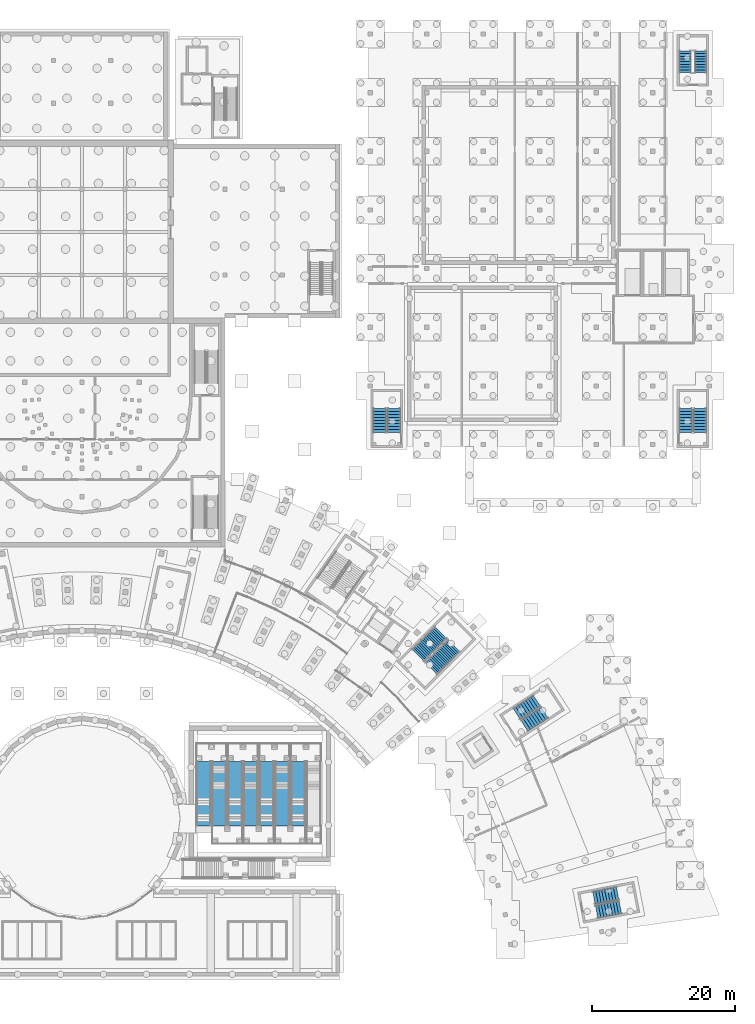
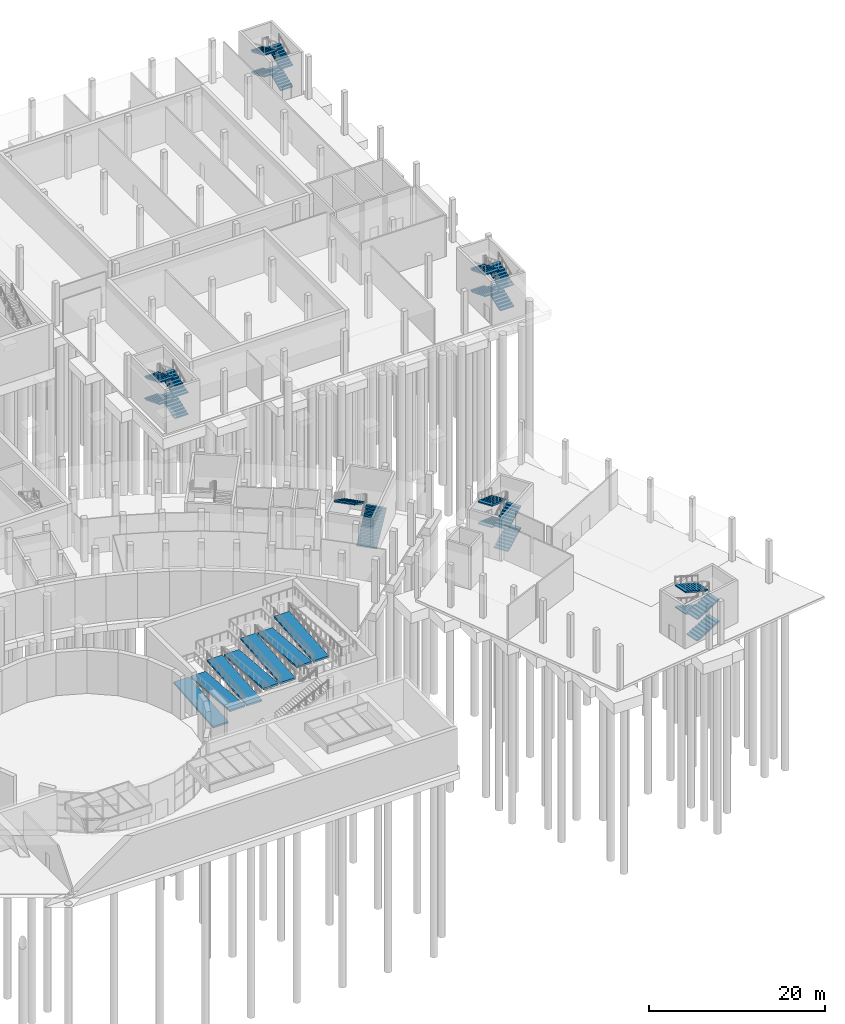
# One storey, part 33 of 66: 22 stair flights, 7 ramp flights, 13 elements without a shape of their own.
"""IFC4 building model written with IfcOpenShell, lengths in metres."""

from ifc_helpers import new_model, si_unit, direction, frame, origin, place, context, subcontext, project, spatial, polyline, outline, extrude, material, type_object, element, aggregate, save


model = new_model("IFC4")

# Units and contexts
model_context = context("Model", 3, precision=1e-05, world=origin(), true_north=direction((0.0, 1.0)))
body_context = subcontext(model_context, "Body", "Model", "MODEL_VIEW")
ifc_project = project(units=[si_unit("LENGTHUNIT", "METRE"), si_unit("AREAUNIT", "SQUARE_METRE"), si_unit("VOLUMEUNIT", "CUBIC_METRE"), si_unit("PLANEANGLEUNIT", "RADIAN"), si_unit("MASSUNIT", "GRAM", prefix="KILO")], contexts=[model_context])

# Site, building, storey
site_placement = place(None, origin())
site = spatial("IfcSite", under=ifc_project, at=site_placement, CompositionType="ELEMENT")
building_placement = place(site_placement, origin())
building = spatial("IfcBuilding", under=site, at=building_placement, Name="Lunette Opera House", CompositionType="ELEMENT")
storey_placement = place(building_placement, frame((0.0, 0.0, -6.0)))
storey = spatial("IfcBuildingStorey", under=building, at=storey_placement, Name="B1", CompositionType="ELEMENT", Elevation=-6.0)

# Stair, stair flights
ifc_material_1 = material(Name="Concrete C35/45", Category="concrete")
stair_type_1 = type_object("IfcStairType", Name="DOGLEG STAIR 1600", PredefinedType="HALF_TURN_STAIR", material=ifc_material_1)
stair_1_placement = place(storey_placement, origin())
stair_1 = element("IfcStair", 1, at=stair_1_placement, inside=storey, type_object=stair_type_1, Name="B1 stair ST19", PredefinedType="HALF_TURN_STAIR")
ifc_material_2 = material(Name="Concrete C35/45", Category="concrete")
stair_flight_type_1 = type_object("IfcStairFlightType", Name="STRAIGHT STAIR FLIGHT 1600", PredefinedType="STRAIGHT", material=ifc_material_2)
stair_flight_1_placement = place(storey_placement, frame((182.5, 130.300048828125, 0.0), z_axis=(0.0, 0.0, 1.0), x_axis=(0.0, 1.0, 0.0)))
stair_flight_1 = element("IfcStairFlight", 2, at=stair_flight_1_placement, type_object=stair_flight_type_1, Name="ST19 flight 1", NumberOfRisers=9, NumberOfTreads=8, PredefinedType="STRAIGHT", RiserHeight=0.166666667, TreadLength=0.38, context=body_context, shape_type="SweptSolid", body=[
    extrude(outline(polyline([(0.0, 0.0), (0.0, 0.166748046875), (0.3798828125, 0.166748046875), (0.3798828125, 0.333251953125), (0.760009765625, 0.333251953125), (0.760009765625, 0.5), (1.139892578125, 0.5), (1.139892578125, 0.666748046875), (1.52001953125, 0.666748046875), (1.52001953125, 0.833251953125), (1.89990234375, 0.833251953125), (1.89990234375, 1.0), (2.280029296875, 1.0), (2.280029296875, 1.166748046875), (2.659912109375, 1.166748046875), (2.659912109375, 1.333251953125), (3.0400390625, 1.333251953125), (3.0400390625, 1.5), (3.0400390625, 1.169677734375), (0.373291015625, 0.0), (0.0, 0.0)])), frame((0.0, 0.800048828125, 0.0), z_axis=(0.0, -1.0, 0.0), x_axis=(1.0, 0.0, 0.0)), (0.0, 0.0, 1.0), 1.60009765625),
])
stair_flight_2_placement = place(storey_placement, frame((180.300048828125, 133.340087890625, 1.5), z_axis=(0.0, 0.0, 1.0), x_axis=(0.0, -1.0, 0.0)))
stair_flight_2 = element("IfcStairFlight", 3, at=stair_flight_2_placement, type_object=stair_flight_type_1, Name="ST19 flight 2", NumberOfRisers=9, NumberOfTreads=8, PredefinedType="STRAIGHT", RiserHeight=0.166666667, TreadLength=0.38, context=body_context, shape_type="SweptSolid", body=[
    extrude(outline(polyline([(0.0, 0.0), (0.0, 0.166748046875), (0.3798828125, 0.166748046875), (0.3798828125, 0.333251953125), (0.760009765625, 0.333251953125), (0.760009765625, 0.5), (1.139892578125, 0.5), (1.139892578125, 0.666748046875), (1.52001953125, 0.666748046875), (1.52001953125, 0.833251953125), (1.89990234375, 0.833251953125), (1.89990234375, 1.0), (2.280029296875, 1.0), (2.280029296875, 1.166748046875), (2.659912109375, 1.166748046875), (2.659912109375, 1.333251953125), (3.0400390625, 1.333251953125), (3.0400390625, 1.5), (3.0400390625, 1.169677734375), (0.373291015625, 0.0), (0.0, 0.0)])), frame((0.0, 0.800048828125, 0.0), z_axis=(0.0, -1.0, 0.0), x_axis=(1.0, 0.0, 0.0)), (0.0, 0.0, 1.0), 1.60009765625),
])
stair_flight_3_placement = place(storey_placement, frame((182.5, 130.300048828125, 3.0), z_axis=(0.0, 0.0, 1.0), x_axis=(0.0, 1.0, 0.0)))
stair_flight_3 = element("IfcStairFlight", 4, at=stair_flight_3_placement, type_object=stair_flight_type_1, Name="ST19 flight 3", NumberOfRisers=9, NumberOfTreads=8, PredefinedType="STRAIGHT", RiserHeight=0.166666667, TreadLength=0.38, context=body_context, shape_type="SweptSolid", body=[
    extrude(outline(polyline([(0.0, 0.0), (0.0, 0.166748046875), (0.3798828125, 0.166748046875), (0.3798828125, 0.333251953125), (0.760009765625, 0.333251953125), (0.760009765625, 0.5), (1.139892578125, 0.5), (1.139892578125, 0.666748046875), (1.52001953125, 0.666748046875), (1.52001953125, 0.833251953125), (1.89990234375, 0.833251953125), (1.89990234375, 1.0), (2.280029296875, 1.0), (2.280029296875, 1.166748046875), (2.659912109375, 1.166748046875), (2.659912109375, 1.333251953125), (3.0400390625, 1.333251953125), (3.0400390625, 1.5), (3.0400390625, 1.169677734375), (0.373291015625, 0.0), (0.0, 0.0)])), frame((0.0, 0.800048828125, 0.0), z_axis=(0.0, -1.0, 0.0), x_axis=(1.0, 0.0, 0.0)), (0.0, 0.0, 1.0), 1.60009765625),
])
stair_flight_4_placement = place(storey_placement, frame((180.300048828125, 133.340087890625, 4.5), z_axis=(0.0, 0.0, 1.0), x_axis=(0.0, -1.0, 0.0)))
stair_flight_4 = element("IfcStairFlight", 5, at=stair_flight_4_placement, type_object=stair_flight_type_1, Name="ST19 flight 4", NumberOfRisers=9, NumberOfTreads=8, PredefinedType="STRAIGHT", RiserHeight=0.166666667, TreadLength=0.38, context=body_context, shape_type="SweptSolid", body=[
    extrude(outline(polyline([(0.0, 0.0), (0.0, 0.166748046875), (0.3798828125, 0.166748046875), (0.3798828125, 0.333251953125), (0.760009765625, 0.333251953125), (0.760009765625, 0.5), (1.139892578125, 0.5), (1.139892578125, 0.666748046875), (1.52001953125, 0.666748046875), (1.52001953125, 0.833251953125), (1.89990234375, 0.833251953125), (1.89990234375, 1.0), (2.280029296875, 1.0), (2.280029296875, 1.166748046875), (2.659912109375, 1.166748046875), (2.659912109375, 1.333251953125), (3.0400390625, 1.333251953125), (3.0400390625, 1.5), (3.0400390625, 1.169677734375), (0.373291015625, 0.0), (0.0, 0.0)])), frame((0.0, 0.800048828125, 0.0), z_axis=(0.0, -1.0, 0.0), x_axis=(1.0, 0.0, 0.0)), (0.0, 0.0, 1.0), 1.60009765625),
])
aggregate(stair_1, [stair_flight_1, stair_flight_2, stair_flight_3, stair_flight_4])

ifc_material_3 = material(Name="Concrete C35/45", Category="concrete")
stair_type_2 = type_object("IfcStairType", Name="DOGLEG STAIR 1800", PredefinedType="HALF_TURN_STAIR", material=ifc_material_3)
stair_2_placement = place(storey_placement, origin())
stair_2 = element("IfcStair", 6, at=stair_2_placement, inside=storey, type_object=stair_type_2, Name="B1 stair ST18", PredefinedType="HALF_TURN_STAIR")
ifc_material_4 = material(Name="Concrete C35/45", Category="concrete")
stair_flight_type_2 = type_object("IfcStairFlightType", Name="STRAIGHT STAIR FLIGHT 1800", PredefinedType="STRAIGHT", material=ifc_material_4)
stair_flight_5_placement = place(storey_placement, frame((139.60009765625, 80.0, 0.0), z_axis=(0.0, 0.0, 1.0), x_axis=(0.0, 1.0, 0.0)))
stair_flight_5 = element("IfcStairFlight", 7, at=stair_flight_5_placement, type_object=stair_flight_type_2, Name="ST18 flight 1", NumberOfRisers=9, NumberOfTreads=8, PredefinedType="STRAIGHT", RiserHeight=0.166666667, TreadLength=0.42, context=body_context, shape_type="SweptSolid", body=[
    extrude(outline(polyline([(0.0, 0.0), (0.0, 0.166748046875), (0.419921875, 0.166748046875), (0.419921875, 0.333251953125), (0.840087890625, 0.333251953125), (0.840087890625, 0.5), (1.260009765625, 0.5), (1.260009765625, 0.666748046875), (1.679931640625, 0.666748046875), (1.679931640625, 0.833251953125), (2.10009765625, 0.833251953125), (2.10009765625, 1.0), (2.52001953125, 1.0), (2.52001953125, 1.166748046875), (2.93994140625, 1.166748046875), (2.93994140625, 1.333251953125), (3.360107421875, 1.333251953125), (3.360107421875, 1.5), (3.360107421875, 1.172119140625), (0.406494140625, 0.0), (0.0, 0.0)])), frame((0.0, 0.89990234375, 0.0), z_axis=(0.0, -1.0, 0.0), x_axis=(1.0, 0.0, 0.0)), (0.0, 0.0, 1.0), 1.800048828125),
])
stair_flight_6_placement = place(storey_placement, frame((137.60009765625, 83.360107421875, 1.5), z_axis=(0.0, 0.0, 1.0), x_axis=(0.0, -1.0, 0.0)))
stair_flight_6 = element("IfcStairFlight", 8, at=stair_flight_6_placement, type_object=stair_flight_type_2, Name="ST18 flight 2", NumberOfRisers=9, NumberOfTreads=8, PredefinedType="STRAIGHT", RiserHeight=0.166666667, TreadLength=0.42, context=body_context, shape_type="SweptSolid", body=[
    extrude(outline(polyline([(0.0, 0.0), (0.0, 0.166748046875), (0.419921875, 0.166748046875), (0.419921875, 0.333251953125), (0.840087890625, 0.333251953125), (0.840087890625, 0.5), (1.260009765625, 0.5), (1.260009765625, 0.666748046875), (1.679931640625, 0.666748046875), (1.679931640625, 0.833251953125), (2.10009765625, 0.833251953125), (2.10009765625, 1.0), (2.52001953125, 1.0), (2.52001953125, 1.166748046875), (2.93994140625, 1.166748046875), (2.93994140625, 1.333251953125), (3.360107421875, 1.333251953125), (3.360107421875, 1.5), (3.360107421875, 1.172119140625), (0.406494140625, 0.0), (0.0, 0.0)])), frame((0.0, 0.89990234375, 0.0), z_axis=(0.0, -1.0, 0.0), x_axis=(1.0, 0.0, 0.0)), (0.0, 0.0, 1.0), 1.800048828125),
])
stair_flight_7_placement = place(storey_placement, frame((139.60009765625, 80.0, 3.0), z_axis=(0.0, 0.0, 1.0), x_axis=(0.0, 1.0, 0.0)))
stair_flight_7 = element("IfcStairFlight", 9, at=stair_flight_7_placement, type_object=stair_flight_type_2, Name="ST18 flight 3", NumberOfRisers=9, NumberOfTreads=8, PredefinedType="STRAIGHT", RiserHeight=0.166666667, TreadLength=0.42, context=body_context, shape_type="SweptSolid", body=[
    extrude(outline(polyline([(0.0, 0.0), (0.0, 0.166748046875), (0.419921875, 0.166748046875), (0.419921875, 0.333251953125), (0.840087890625, 0.333251953125), (0.840087890625, 0.5), (1.260009765625, 0.5), (1.260009765625, 0.666748046875), (1.679931640625, 0.666748046875), (1.679931640625, 0.833251953125), (2.10009765625, 0.833251953125), (2.10009765625, 1.0), (2.52001953125, 1.0), (2.52001953125, 1.166748046875), (2.93994140625, 1.166748046875), (2.93994140625, 1.333251953125), (3.360107421875, 1.333251953125), (3.360107421875, 1.5), (3.360107421875, 1.172119140625), (0.406494140625, 0.0), (0.0, 0.0)])), frame((0.0, 0.89990234375, 0.0), z_axis=(0.0, -1.0, 0.0), x_axis=(1.0, 0.0, 0.0)), (0.0, 0.0, 1.0), 1.800048828125),
])
stair_flight_8_placement = place(storey_placement, frame((137.60009765625, 83.360107421875, 4.5), z_axis=(0.0, 0.0, 1.0), x_axis=(0.0, -1.0, 0.0)))
stair_flight_8 = element("IfcStairFlight", 10, at=stair_flight_8_placement, type_object=stair_flight_type_2, Name="ST18 flight 4", NumberOfRisers=9, NumberOfTreads=8, PredefinedType="STRAIGHT", RiserHeight=0.166666667, TreadLength=0.42, context=body_context, shape_type="SweptSolid", body=[
    extrude(outline(polyline([(0.0, 0.0), (0.0, 0.166748046875), (0.419921875, 0.166748046875), (0.419921875, 0.333251953125), (0.840087890625, 0.333251953125), (0.840087890625, 0.5), (1.260009765625, 0.5), (1.260009765625, 0.666748046875), (1.679931640625, 0.666748046875), (1.679931640625, 0.833251953125), (2.10009765625, 0.833251953125), (2.10009765625, 1.0), (2.52001953125, 1.0), (2.52001953125, 1.166748046875), (2.93994140625, 1.166748046875), (2.93994140625, 1.333251953125), (3.360107421875, 1.333251953125), (3.360107421875, 1.5), (3.360107421875, 1.172119140625), (0.406494140625, 0.0), (0.0, 0.0)])), frame((0.0, 0.89990234375, 0.0), z_axis=(0.0, -1.0, 0.0), x_axis=(1.0, 0.0, 0.0)), (0.0, 0.0, 1.0), 1.800048828125),
])
aggregate(stair_2, [stair_flight_5, stair_flight_6, stair_flight_7, stair_flight_8])

stair_3_placement = place(storey_placement, origin())
stair_3 = element("IfcStair", 11, at=stair_3_placement, inside=storey, type_object=stair_type_2, Name="B1 stair ST20", PredefinedType="HALF_TURN_STAIR")
stair_flight_9_placement = place(storey_placement, frame((182.39990234375, 80.0, 0.0), z_axis=(0.0, 0.0, 1.0), x_axis=(0.0, 1.0, 0.0)))
stair_flight_9 = element("IfcStairFlight", 12, at=stair_flight_9_placement, type_object=stair_flight_type_2, Name="ST20 flight 1", NumberOfRisers=9, NumberOfTreads=8, PredefinedType="STRAIGHT", RiserHeight=0.166666667, TreadLength=0.42, context=body_context, shape_type="SweptSolid", body=[
    extrude(outline(polyline([(0.0, 0.0), (0.0, 0.166748046875), (0.419921875, 0.166748046875), (0.419921875, 0.333251953125), (0.840087890625, 0.333251953125), (0.840087890625, 0.5), (1.260009765625, 0.5), (1.260009765625, 0.666748046875), (1.679931640625, 0.666748046875), (1.679931640625, 0.833251953125), (2.10009765625, 0.833251953125), (2.10009765625, 1.0), (2.52001953125, 1.0), (2.52001953125, 1.166748046875), (2.93994140625, 1.166748046875), (2.93994140625, 1.333251953125), (3.360107421875, 1.333251953125), (3.360107421875, 1.5), (3.360107421875, 1.172119140625), (0.406494140625, 0.0), (0.0, 0.0)])), frame((0.0, 0.89990234375, 0.0), z_axis=(0.0, -1.0, 0.0), x_axis=(1.0, 0.0, 0.0)), (0.0, 0.0, 1.0), 1.800048828125),
])
stair_flight_10_placement = place(storey_placement, frame((180.39990234375, 83.360107421875, 1.5), z_axis=(0.0, 0.0, 1.0), x_axis=(0.0, -1.0, 0.0)))
stair_flight_10 = element("IfcStairFlight", 13, at=stair_flight_10_placement, type_object=stair_flight_type_2, Name="ST20 flight 2", NumberOfRisers=9, NumberOfTreads=8, PredefinedType="STRAIGHT", RiserHeight=0.166666667, TreadLength=0.42, context=body_context, shape_type="SweptSolid", body=[
    extrude(outline(polyline([(0.0, 0.0), (0.0, 0.166748046875), (0.419921875, 0.166748046875), (0.419921875, 0.333251953125), (0.840087890625, 0.333251953125), (0.840087890625, 0.5), (1.260009765625, 0.5), (1.260009765625, 0.666748046875), (1.679931640625, 0.666748046875), (1.679931640625, 0.833251953125), (2.10009765625, 0.833251953125), (2.10009765625, 1.0), (2.52001953125, 1.0), (2.52001953125, 1.166748046875), (2.93994140625, 1.166748046875), (2.93994140625, 1.333251953125), (3.360107421875, 1.333251953125), (3.360107421875, 1.5), (3.360107421875, 1.172119140625), (0.406494140625, 0.0), (0.0, 0.0)])), frame((0.0, 0.89990234375, 0.0), z_axis=(0.0, -1.0, 0.0), x_axis=(1.0, 0.0, 0.0)), (0.0, 0.0, 1.0), 1.800048828125),
])
stair_flight_11_placement = place(storey_placement, frame((182.39990234375, 80.0, 3.0), z_axis=(0.0, 0.0, 1.0), x_axis=(0.0, 1.0, 0.0)))
stair_flight_11 = element("IfcStairFlight", 14, at=stair_flight_11_placement, type_object=stair_flight_type_2, Name="ST20 flight 3", NumberOfRisers=9, NumberOfTreads=8, PredefinedType="STRAIGHT", RiserHeight=0.166666667, TreadLength=0.42, context=body_context, shape_type="SweptSolid", body=[
    extrude(outline(polyline([(0.0, 0.0), (0.0, 0.166748046875), (0.419921875, 0.166748046875), (0.419921875, 0.333251953125), (0.840087890625, 0.333251953125), (0.840087890625, 0.5), (1.260009765625, 0.5), (1.260009765625, 0.666748046875), (1.679931640625, 0.666748046875), (1.679931640625, 0.833251953125), (2.10009765625, 0.833251953125), (2.10009765625, 1.0), (2.52001953125, 1.0), (2.52001953125, 1.166748046875), (2.93994140625, 1.166748046875), (2.93994140625, 1.333251953125), (3.360107421875, 1.333251953125), (3.360107421875, 1.5), (3.360107421875, 1.172119140625), (0.406494140625, 0.0), (0.0, 0.0)])), frame((0.0, 0.89990234375, 0.0), z_axis=(0.0, -1.0, 0.0), x_axis=(1.0, 0.0, 0.0)), (0.0, 0.0, 1.0), 1.800048828125),
])
stair_flight_12_placement = place(storey_placement, frame((180.39990234375, 83.360107421875, 4.5), z_axis=(0.0, 0.0, 1.0), x_axis=(0.0, -1.0, 0.0)))
stair_flight_12 = element("IfcStairFlight", 15, at=stair_flight_12_placement, type_object=stair_flight_type_2, Name="ST20 flight 4", NumberOfRisers=9, NumberOfTreads=8, PredefinedType="STRAIGHT", RiserHeight=0.166666667, TreadLength=0.42, context=body_context, shape_type="SweptSolid", body=[
    extrude(outline(polyline([(0.0, 0.0), (0.0, 0.166748046875), (0.419921875, 0.166748046875), (0.419921875, 0.333251953125), (0.840087890625, 0.333251953125), (0.840087890625, 0.5), (1.260009765625, 0.5), (1.260009765625, 0.666748046875), (1.679931640625, 0.666748046875), (1.679931640625, 0.833251953125), (2.10009765625, 0.833251953125), (2.10009765625, 1.0), (2.52001953125, 1.0), (2.52001953125, 1.166748046875), (2.93994140625, 1.166748046875), (2.93994140625, 1.333251953125), (3.360107421875, 1.333251953125), (3.360107421875, 1.5), (3.360107421875, 1.172119140625), (0.406494140625, 0.0), (0.0, 0.0)])), frame((0.0, 0.89990234375, 0.0), z_axis=(0.0, -1.0, 0.0), x_axis=(1.0, 0.0, 0.0)), (0.0, 0.0, 1.0), 1.800048828125),
])
aggregate(stair_3, [stair_flight_9, stair_flight_10, stair_flight_11, stair_flight_12])

stair_4_placement = place(storey_placement, origin())
stair_4 = element("IfcStair", 16, at=stair_4_placement, inside=storey, type_object=stair_type_2, Name="B1 stair ST21", PredefinedType="HALF_TURN_STAIR")
stair_flight_13_placement = place(storey_placement, frame((157.851318359375, 38.973876953125, 0.0), z_axis=(0.0, 0.0, 1.0), x_axis=(0.838643447017, 0.544680795306, 0.0)))
stair_flight_13 = element("IfcStairFlight", 17, at=stair_flight_13_placement, type_object=stair_flight_type_2, Name="ST21 flight 1", NumberOfRisers=9, NumberOfTreads=8, PredefinedType="STRAIGHT", RiserHeight=0.166666667, TreadLength=0.42, context=body_context, shape_type="SweptSolid", body=[
    extrude(outline(polyline([(0.0, 0.0), (0.0, 0.166748046875), (0.419921875, 0.166748046875), (0.419921875, 0.333251953125), (0.840087890625, 0.333251953125), (0.840087890625, 0.5), (1.260009765625, 0.5), (1.260009765625, 0.666748046875), (1.679931640625, 0.666748046875), (1.679931640625, 0.833251953125), (2.10009765625, 0.833251953125), (2.10009765625, 1.0), (2.52001953125, 1.0), (2.52001953125, 1.166748046875), (2.93994140625, 1.166748046875), (2.93994140625, 1.333251953125), (3.360107421875, 1.333251953125), (3.360107421875, 1.5), (3.360107421875, 1.172119140625), (0.406494140625, 0.0), (0.0, 0.0)])), frame((0.0, 0.89990234375, 0.0), z_axis=(0.0, -1.0, 0.0), x_axis=(1.0, 0.0, 0.0)), (0.0, 0.0, 1.0), 1.800048828125),
])
stair_flight_14_placement = place(storey_placement, frame((159.579345703125, 42.481689453125, 1.5), z_axis=(0.0, 0.0, 1.0), x_axis=(-0.838643447017, -0.544680795306, 0.0)))
stair_flight_14 = element("IfcStairFlight", 18, at=stair_flight_14_placement, type_object=stair_flight_type_2, Name="ST21 flight 2", NumberOfRisers=9, NumberOfTreads=8, PredefinedType="STRAIGHT", RiserHeight=0.166666667, TreadLength=0.42, context=body_context, shape_type="SweptSolid", body=[
    extrude(outline(polyline([(0.0, 0.0), (0.0, 0.166748046875), (0.419921875, 0.166748046875), (0.419921875, 0.333251953125), (0.840087890625, 0.333251953125), (0.840087890625, 0.5), (1.260009765625, 0.5), (1.260009765625, 0.666748046875), (1.679931640625, 0.666748046875), (1.679931640625, 0.833251953125), (2.10009765625, 0.833251953125), (2.10009765625, 1.0), (2.52001953125, 1.0), (2.52001953125, 1.166748046875), (2.93994140625, 1.166748046875), (2.93994140625, 1.333251953125), (3.360107421875, 1.333251953125), (3.360107421875, 1.5), (3.360107421875, 1.172119140625), (0.406494140625, 0.0), (0.0, 0.0)])), frame((0.0, 0.89990234375, 0.0), z_axis=(0.0, -1.0, 0.0), x_axis=(1.0, 0.0, 0.0)), (0.0, 0.0, 1.0), 1.800048828125),
])
stair_flight_15_placement = place(storey_placement, frame((157.851318359375, 38.973876953125, 3.0), z_axis=(0.0, 0.0, 1.0), x_axis=(0.838643447017, 0.544680795306, 0.0)))
stair_flight_15 = element("IfcStairFlight", 19, at=stair_flight_15_placement, type_object=stair_flight_type_2, Name="ST21 flight 3", NumberOfRisers=9, NumberOfTreads=8, PredefinedType="STRAIGHT", RiserHeight=0.166666667, TreadLength=0.42, context=body_context, shape_type="SweptSolid", body=[
    extrude(outline(polyline([(0.0, 0.0), (0.0, 0.166748046875), (0.419921875, 0.166748046875), (0.419921875, 0.333251953125), (0.840087890625, 0.333251953125), (0.840087890625, 0.5), (1.260009765625, 0.5), (1.260009765625, 0.666748046875), (1.679931640625, 0.666748046875), (1.679931640625, 0.833251953125), (2.10009765625, 0.833251953125), (2.10009765625, 1.0), (2.52001953125, 1.0), (2.52001953125, 1.166748046875), (2.93994140625, 1.166748046875), (2.93994140625, 1.333251953125), (3.360107421875, 1.333251953125), (3.360107421875, 1.5), (3.360107421875, 1.172119140625), (0.406494140625, 0.0), (0.0, 0.0)])), frame((0.0, 0.89990234375, 0.0), z_axis=(0.0, -1.0, 0.0), x_axis=(1.0, 0.0, 0.0)), (0.0, 0.0, 1.0), 1.800048828125),
])
stair_flight_16_placement = place(storey_placement, frame((159.579345703125, 42.481689453125, 4.5), z_axis=(0.0, 0.0, 1.0), x_axis=(-0.838643447017, -0.544680795306, 0.0)))
stair_flight_16 = element("IfcStairFlight", 20, at=stair_flight_16_placement, type_object=stair_flight_type_2, Name="ST21 flight 4", NumberOfRisers=9, NumberOfTreads=8, PredefinedType="STRAIGHT", RiserHeight=0.166666667, TreadLength=0.42, context=body_context, shape_type="SweptSolid", body=[
    extrude(outline(polyline([(0.0, 0.0), (0.0, 0.166748046875), (0.419921875, 0.166748046875), (0.419921875, 0.333251953125), (0.840087890625, 0.333251953125), (0.840087890625, 0.5), (1.260009765625, 0.5), (1.260009765625, 0.666748046875), (1.679931640625, 0.666748046875), (1.679931640625, 0.833251953125), (2.10009765625, 0.833251953125), (2.10009765625, 1.0), (2.52001953125, 1.0), (2.52001953125, 1.166748046875), (2.93994140625, 1.166748046875), (2.93994140625, 1.333251953125), (3.360107421875, 1.333251953125), (3.360107421875, 1.5), (3.360107421875, 1.172119140625), (0.406494140625, 0.0), (0.0, 0.0)])), frame((0.0, 0.89990234375, 0.0), z_axis=(0.0, -1.0, 0.0), x_axis=(1.0, 0.0, 0.0)), (0.0, 0.0, 1.0), 1.800048828125),
])
aggregate(stair_4, [stair_flight_13, stair_flight_14, stair_flight_15, stair_flight_16])

stair_5_placement = place(storey_placement, origin())
stair_5 = element("IfcStair", 21, at=stair_5_placement, inside=storey, type_object=stair_type_2, Name="B1 stair ST22", PredefinedType="HALF_TURN_STAIR")
stair_flight_17_placement = place(storey_placement, frame((167.947509765625, 12.966552734375, 0.0), z_axis=(0.0, 0.0, 1.0), x_axis=(0.981638151653, 0.19075256019, 0.0)))
stair_flight_17 = element("IfcStairFlight", 22, at=stair_flight_17_placement, type_object=stair_flight_type_2, Name="ST22 flight 1", NumberOfRisers=9, NumberOfTreads=8, PredefinedType="STRAIGHT", RiserHeight=0.166666667, TreadLength=0.42, context=body_context, shape_type="SweptSolid", body=[
    extrude(outline(polyline([(0.0, 0.0), (0.0, 0.166748046875), (0.419921875, 0.166748046875), (0.419921875, 0.333251953125), (0.840087890625, 0.333251953125), (0.840087890625, 0.5), (1.260009765625, 0.5), (1.260009765625, 0.666748046875), (1.679931640625, 0.666748046875), (1.679931640625, 0.833251953125), (2.10009765625, 0.833251953125), (2.10009765625, 1.0), (2.52001953125, 1.0), (2.52001953125, 1.166748046875), (2.93994140625, 1.166748046875), (2.93994140625, 1.333251953125), (3.360107421875, 1.333251953125), (3.360107421875, 1.5), (3.360107421875, 1.172119140625), (0.406494140625, 0.0), (0.0, 0.0)])), frame((0.0, 0.89990234375, 0.0), z_axis=(0.0, -1.0, 0.0), x_axis=(1.0, 0.0, 0.0)), (0.0, 0.0, 1.0), 1.800048828125),
])
stair_flight_18_placement = place(storey_placement, frame((170.864501953125, 15.570556640625, 1.5), z_axis=(0.0, 0.0, 1.0), x_axis=(-0.981638151653, -0.19075256019, 0.0)))
stair_flight_18 = element("IfcStairFlight", 23, at=stair_flight_18_placement, type_object=stair_flight_type_2, Name="ST22 flight 2", NumberOfRisers=9, NumberOfTreads=8, PredefinedType="STRAIGHT", RiserHeight=0.166666667, TreadLength=0.42, context=body_context, shape_type="SweptSolid", body=[
    extrude(outline(polyline([(0.0, 0.0), (0.0, 0.166748046875), (0.419921875, 0.166748046875), (0.419921875, 0.333251953125), (0.840087890625, 0.333251953125), (0.840087890625, 0.5), (1.260009765625, 0.5), (1.260009765625, 0.666748046875), (1.679931640625, 0.666748046875), (1.679931640625, 0.833251953125), (2.10009765625, 0.833251953125), (2.10009765625, 1.0), (2.52001953125, 1.0), (2.52001953125, 1.166748046875), (2.93994140625, 1.166748046875), (2.93994140625, 1.333251953125), (3.360107421875, 1.333251953125), (3.360107421875, 1.5), (3.360107421875, 1.172119140625), (0.406494140625, 0.0), (0.0, 0.0)])), frame((0.0, 0.89990234375, 0.0), z_axis=(0.0, -1.0, 0.0), x_axis=(1.0, 0.0, 0.0)), (0.0, 0.0, 1.0), 1.800048828125),
])
stair_flight_19_placement = place(storey_placement, frame((167.947509765625, 12.966552734375, 3.0), z_axis=(0.0, 0.0, 1.0), x_axis=(0.981638151653, 0.19075256019, 0.0)))
stair_flight_19 = element("IfcStairFlight", 24, at=stair_flight_19_placement, type_object=stair_flight_type_2, Name="ST22 flight 3", NumberOfRisers=9, NumberOfTreads=8, PredefinedType="STRAIGHT", RiserHeight=0.166666667, TreadLength=0.42, context=body_context, shape_type="SweptSolid", body=[
    extrude(outline(polyline([(0.0, 0.0), (0.0, 0.166748046875), (0.419921875, 0.166748046875), (0.419921875, 0.333251953125), (0.840087890625, 0.333251953125), (0.840087890625, 0.5), (1.260009765625, 0.5), (1.260009765625, 0.666748046875), (1.679931640625, 0.666748046875), (1.679931640625, 0.833251953125), (2.10009765625, 0.833251953125), (2.10009765625, 1.0), (2.52001953125, 1.0), (2.52001953125, 1.166748046875), (2.93994140625, 1.166748046875), (2.93994140625, 1.333251953125), (3.360107421875, 1.333251953125), (3.360107421875, 1.5), (3.360107421875, 1.172119140625), (0.406494140625, 0.0), (0.0, 0.0)])), frame((0.0, 0.89990234375, 0.0), z_axis=(0.0, -1.0, 0.0), x_axis=(1.0, 0.0, 0.0)), (0.0, 0.0, 1.0), 1.800048828125),
])
stair_flight_20_placement = place(storey_placement, frame((170.864501953125, 15.570556640625, 4.5), z_axis=(0.0, 0.0, 1.0), x_axis=(-0.981638151653, -0.19075256019, 0.0)))
stair_flight_20 = element("IfcStairFlight", 25, at=stair_flight_20_placement, type_object=stair_flight_type_2, Name="ST22 flight 4", NumberOfRisers=9, NumberOfTreads=8, PredefinedType="STRAIGHT", RiserHeight=0.166666667, TreadLength=0.42, context=body_context, shape_type="SweptSolid", body=[
    extrude(outline(polyline([(0.0, 0.0), (0.0, 0.166748046875), (0.419921875, 0.166748046875), (0.419921875, 0.333251953125), (0.840087890625, 0.333251953125), (0.840087890625, 0.5), (1.260009765625, 0.5), (1.260009765625, 0.666748046875), (1.679931640625, 0.666748046875), (1.679931640625, 0.833251953125), (2.10009765625, 0.833251953125), (2.10009765625, 1.0), (2.52001953125, 1.0), (2.52001953125, 1.166748046875), (2.93994140625, 1.166748046875), (2.93994140625, 1.333251953125), (3.360107421875, 1.333251953125), (3.360107421875, 1.5), (3.360107421875, 1.172119140625), (0.406494140625, 0.0), (0.0, 0.0)])), frame((0.0, 0.89990234375, 0.0), z_axis=(0.0, -1.0, 0.0), x_axis=(1.0, 0.0, 0.0)), (0.0, 0.0, 1.0), 1.800048828125),
])
aggregate(stair_5, [stair_flight_17, stair_flight_18, stair_flight_19, stair_flight_20])

ifc_material_5 = material(Name="Concrete C35/45", Category="concrete")
stair_type_3 = type_object("IfcStairType", Name="DOGLEG STAIR 2400", PredefinedType="HALF_TURN_STAIR", material=ifc_material_5)
stair_6_placement = place(storey_placement, origin())
stair_6 = element("IfcStair", 26, at=stair_6_placement, inside=storey, type_object=stair_type_3, Name="B1 stair ST4", PredefinedType="HALF_TURN_STAIR")
ifc_material_6 = material(Name="Concrete C35/45", Category="concrete")
stair_flight_type_3 = type_object("IfcStairFlightType", Name="STRAIGHT STAIR FLIGHT 2400", PredefinedType="STRAIGHT", material=ifc_material_6)
stair_flight_21_placement = place(storey_placement, frame((144.825439453125, 46.98681640625, 0.0), z_axis=(0.0, 0.0, 1.0), x_axis=(0.707106781187, 0.707106781187, 0.0)))
stair_flight_21 = element("IfcStairFlight", 27, at=stair_flight_21_placement, type_object=stair_flight_type_3, Name="ST4 flight 1", NumberOfRisers=17, NumberOfTreads=16, PredefinedType="STRAIGHT", RiserHeight=0.176470588, TreadLength=0.28, context=body_context, shape_type="SweptSolid", body=[
    extrude(outline(polyline([(0.0, 0.0), (0.0, 0.176513671875), (0.280029296875, 0.176513671875), (0.280029296875, 0.35302734375), (0.56005859375, 0.35302734375), (0.56005859375, 0.529296875), (0.840087890625, 0.529296875), (0.840087890625, 0.705810546875), (1.1201171875, 0.705810546875), (1.1201171875, 0.88232421875), (1.39990234375, 0.88232421875), (1.39990234375, 1.058837890625), (1.679931640625, 1.058837890625), (1.679931640625, 1.2353515625), (1.9599609375, 1.2353515625), (1.9599609375, 1.411865234375), (2.239990234375, 1.411865234375), (2.239990234375, 1.588134765625), (2.52001953125, 1.588134765625), (2.52001953125, 1.7646484375), (2.800048828125, 1.7646484375), (2.800048828125, 1.941162109375), (3.080078125, 1.941162109375), (3.080078125, 2.11767578125), (3.360107421875, 2.11767578125), (3.360107421875, 2.294189453125), (3.639892578125, 2.294189453125), (3.639892578125, 2.470703125), (3.919921875, 2.470703125), (3.919921875, 2.64697265625), (4.199951171875, 2.64697265625), (4.199951171875, 2.823486328125), (4.47998046875, 2.823486328125), (4.47998046875, 3.0), (4.47998046875, 2.646240234375), (0.28125, 0.0), (0.0, 0.0)])), frame((0.0, 1.199951171875, 0.0), z_axis=(0.0, -1.0, 0.0), x_axis=(1.0, 0.0, 0.0)), (0.0, 0.0, 1.0), 2.39990234375),
])
stair_flight_22_placement = place(storey_placement, frame((146.15478515625, 51.993408203125, 3.0), z_axis=(0.0, 0.0, 1.0), x_axis=(-0.707106781187, -0.707106781187, 0.0)))
stair_flight_22 = element("IfcStairFlight", 28, at=stair_flight_22_placement, type_object=stair_flight_type_3, Name="ST4 flight 2", NumberOfRisers=17, NumberOfTreads=16, PredefinedType="STRAIGHT", RiserHeight=0.176470588, TreadLength=0.28, context=body_context, shape_type="SweptSolid", body=[
    extrude(outline(polyline([(0.0, 0.0), (0.0, 0.176513671875), (0.280029296875, 0.176513671875), (0.280029296875, 0.35302734375), (0.56005859375, 0.35302734375), (0.56005859375, 0.529296875), (0.840087890625, 0.529296875), (0.840087890625, 0.705810546875), (1.1201171875, 0.705810546875), (1.1201171875, 0.88232421875), (1.39990234375, 0.88232421875), (1.39990234375, 1.058837890625), (1.679931640625, 1.058837890625), (1.679931640625, 1.2353515625), (1.9599609375, 1.2353515625), (1.9599609375, 1.411865234375), (2.239990234375, 1.411865234375), (2.239990234375, 1.588134765625), (2.52001953125, 1.588134765625), (2.52001953125, 1.7646484375), (2.800048828125, 1.7646484375), (2.800048828125, 1.941162109375), (3.080078125, 1.941162109375), (3.080078125, 2.11767578125), (3.360107421875, 2.11767578125), (3.360107421875, 2.294189453125), (3.639892578125, 2.294189453125), (3.639892578125, 2.470703125), (3.919921875, 2.470703125), (3.919921875, 2.64697265625), (4.199951171875, 2.64697265625), (4.199951171875, 2.823486328125), (4.47998046875, 2.823486328125), (4.47998046875, 3.0), (4.47998046875, 2.646240234375), (0.28125, 0.0), (0.0, 0.0)])), frame((0.0, 1.199951171875, 0.0), z_axis=(0.0, -1.0, 0.0), x_axis=(1.0, 0.0, 0.0)), (0.0, 0.0, 1.0), 2.39990234375),
])
aggregate(stair_6, [stair_flight_21, stair_flight_22])

# Ramp, ramp flight
ifc_material_7 = material(Name="Concrete C35/45", Category="concrete")
ramp_type = type_object("IfcRampType", Name="FORECOURT RAMP 2000", PredefinedType="STRAIGHT_RUN_RAMP", material=ifc_material_7)
ramp_1_placement = place(storey_placement, origin())
ramp_1 = element("IfcRamp", 29, at=ramp_1_placement, inside=storey, type_object=ramp_type, Name="Forecourt ramp FR1", PredefinedType="STRAIGHT_RUN_RAMP")
ifc_material_8 = material(Name="Concrete C35/45", Category="concrete")
ramp_flight_type = type_object("IfcRampFlightType", Name="FORECOURT RAMP FLIGHT 2000", PredefinedType="STRAIGHT", material=ifc_material_8)
ramp_flight_1_placement = place(storey_placement, frame((113.0, 25.0, 0.0), z_axis=(0.0, 0.0, 1.0), x_axis=(0.0, 1.0, 0.0)))
ramp_flight_1 = element("IfcRampFlight", 30, at=ramp_flight_1_placement, type_object=ramp_flight_type, Name="Forecourt ramp FR1 flight", PredefinedType="STRAIGHT", context=body_context, shape_type="SweptSolid", body=[
    extrude(outline(polyline([(0.0, 0.0), (9.0, 0.75), (9.0, 0.4990234375), (0.0, -0.2509765625), (0.0, 0.0)])), frame((0.0, 1.0, 0.0), z_axis=(0.0, -1.0, 0.0), x_axis=(1.0, 0.0, 0.0)), (0.0, 0.0, 1.0), 2.0),
])
aggregate(ramp_1, [ramp_flight_1])

ramp_2_placement = place(storey_placement, origin())
ramp_2 = element("IfcRamp", 31, at=ramp_2_placement, inside=storey, type_object=ramp_type, Name="Forecourt ramp FR2", PredefinedType="STRAIGHT_RUN_RAMP")
ramp_flight_2_placement = place(storey_placement, frame((115.199951171875, 34.0, 0.75), z_axis=(0.0, 0.0, 1.0), x_axis=(0.0, -1.0, 0.0)))
ramp_flight_2 = element("IfcRampFlight", 32, at=ramp_flight_2_placement, type_object=ramp_flight_type, Name="Forecourt ramp FR2 flight", PredefinedType="STRAIGHT", context=body_context, shape_type="SweptSolid", body=[
    extrude(outline(polyline([(0.0, 0.0), (9.0, 0.75), (9.0, 0.4990234375), (0.0, -0.2509765625), (0.0, 0.0)])), frame((0.0, 1.0, 0.0), z_axis=(0.0, -1.0, 0.0), x_axis=(1.0, 0.0, 0.0)), (0.0, 0.0, 1.0), 2.0),
])
aggregate(ramp_2, [ramp_flight_2])

ramp_3_placement = place(storey_placement, origin())
ramp_3 = element("IfcRamp", 33, at=ramp_3_placement, inside=storey, type_object=ramp_type, Name="Forecourt ramp FR3", PredefinedType="STRAIGHT_RUN_RAMP")
ramp_flight_3_placement = place(storey_placement, frame((117.39990234375, 25.0, 1.5), z_axis=(0.0, 0.0, 1.0), x_axis=(0.0, 1.0, 0.0)))
ramp_flight_3 = element("IfcRampFlight", 34, at=ramp_flight_3_placement, type_object=ramp_flight_type, Name="Forecourt ramp FR3 flight", PredefinedType="STRAIGHT", context=body_context, shape_type="SweptSolid", body=[
    extrude(outline(polyline([(0.0, 0.0), (9.0, 0.75), (9.0, 0.4990234375), (0.0, -0.2509765625), (0.0, 0.0)])), frame((0.0, 1.0, 0.0), z_axis=(0.0, -1.0, 0.0), x_axis=(1.0, 0.0, 0.0)), (0.0, 0.0, 1.0), 2.0),
])
aggregate(ramp_3, [ramp_flight_3])

ramp_4_placement = place(storey_placement, origin())
ramp_4 = element("IfcRamp", 35, at=ramp_4_placement, inside=storey, type_object=ramp_type, Name="Forecourt ramp FR4", PredefinedType="STRAIGHT_RUN_RAMP")
ramp_flight_4_placement = place(storey_placement, frame((119.60009765625, 34.0, 2.25), z_axis=(0.0, 0.0, 1.0), x_axis=(0.0, -1.0, 0.0)))
ramp_flight_4 = element("IfcRampFlight", 36, at=ramp_flight_4_placement, type_object=ramp_flight_type, Name="Forecourt ramp FR4 flight", PredefinedType="STRAIGHT", context=body_context, shape_type="SweptSolid", body=[
    extrude(outline(polyline([(0.0, 0.0), (9.0, 0.75), (9.0, 0.4990234375), (0.0, -0.2509765625), (0.0, 0.0)])), frame((0.0, 1.0, 0.0), z_axis=(0.0, -1.0, 0.0), x_axis=(1.0, 0.0, 0.0)), (0.0, 0.0, 1.0), 2.0),
])
aggregate(ramp_4, [ramp_flight_4])

ramp_5_placement = place(storey_placement, origin())
ramp_5 = element("IfcRamp", 37, at=ramp_5_placement, inside=storey, type_object=ramp_type, Name="Forecourt ramp FR5", PredefinedType="STRAIGHT_RUN_RAMP")
ramp_flight_5_placement = place(storey_placement, frame((121.800048828125, 25.0, 3.0), z_axis=(0.0, 0.0, 1.0), x_axis=(0.0, 1.0, 0.0)))
ramp_flight_5 = element("IfcRampFlight", 38, at=ramp_flight_5_placement, type_object=ramp_flight_type, Name="Forecourt ramp FR5 flight", PredefinedType="STRAIGHT", context=body_context, shape_type="SweptSolid", body=[
    extrude(outline(polyline([(0.0, 0.0), (9.0, 0.75), (9.0, 0.4990234375), (0.0, -0.2509765625), (0.0, 0.0)])), frame((0.0, 1.0, 0.0), z_axis=(0.0, -1.0, 0.0), x_axis=(1.0, 0.0, 0.0)), (0.0, 0.0, 1.0), 2.0),
])
aggregate(ramp_5, [ramp_flight_5])

ramp_6_placement = place(storey_placement, origin())
ramp_6 = element("IfcRamp", 39, at=ramp_6_placement, inside=storey, type_object=ramp_type, Name="Forecourt ramp FR6", PredefinedType="STRAIGHT_RUN_RAMP")
ramp_flight_6_placement = place(storey_placement, frame((124.0, 34.0, 3.75), z_axis=(0.0, 0.0, 1.0), x_axis=(0.0, -1.0, 0.0)))
ramp_flight_6 = element("IfcRampFlight", 40, at=ramp_flight_6_placement, type_object=ramp_flight_type, Name="Forecourt ramp FR6 flight", PredefinedType="STRAIGHT", context=body_context, shape_type="SweptSolid", body=[
    extrude(outline(polyline([(0.0, 0.0), (9.0, 0.75), (9.0, 0.4990234375), (0.0, -0.2509765625), (0.0, 0.0)])), frame((0.0, 1.0, 0.0), z_axis=(0.0, -1.0, 0.0), x_axis=(1.0, 0.0, 0.0)), (0.0, 0.0, 1.0), 2.0),
])
aggregate(ramp_6, [ramp_flight_6])

ramp_7_placement = place(storey_placement, origin())
ramp_7 = element("IfcRamp", 41, at=ramp_7_placement, inside=storey, type_object=ramp_type, Name="Forecourt ramp FR7", PredefinedType="STRAIGHT_RUN_RAMP")
ramp_flight_7_placement = place(storey_placement, frame((126.199951171875, 25.0, 4.5), z_axis=(0.0, 0.0, 1.0), x_axis=(0.0, 1.0, 0.0)))
ramp_flight_7 = element("IfcRampFlight", 42, at=ramp_flight_7_placement, type_object=ramp_flight_type, Name="Forecourt ramp FR7 flight", PredefinedType="STRAIGHT", context=body_context, shape_type="SweptSolid", body=[
    extrude(outline(polyline([(0.0, 0.0), (9.0, 0.75), (9.0, 0.4990234375), (0.0, -0.2509765625), (0.0, 0.0)])), frame((0.0, 1.0, 0.0), z_axis=(0.0, -1.0, 0.0), x_axis=(1.0, 0.0, 0.0)), (0.0, 0.0, 1.0), 2.0),
])
aggregate(ramp_7, [ramp_flight_7])

save(model, "model.ifc")
